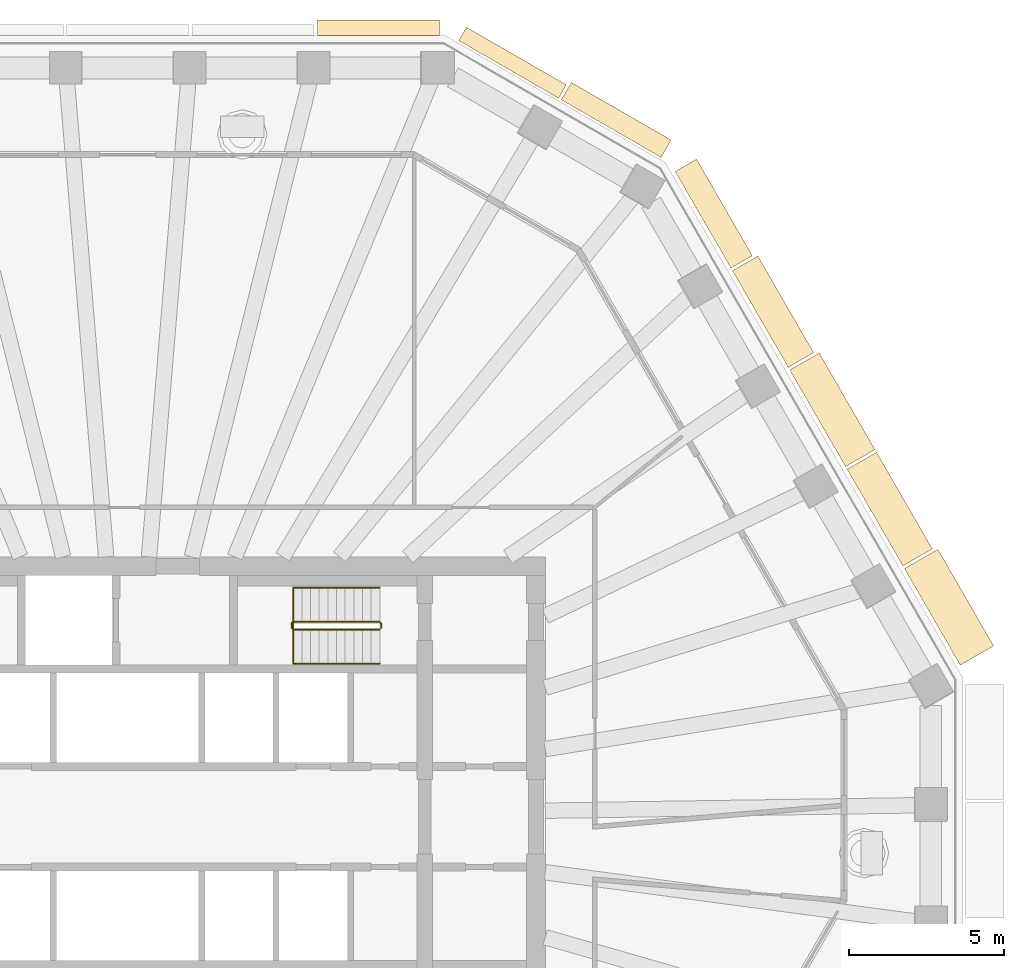
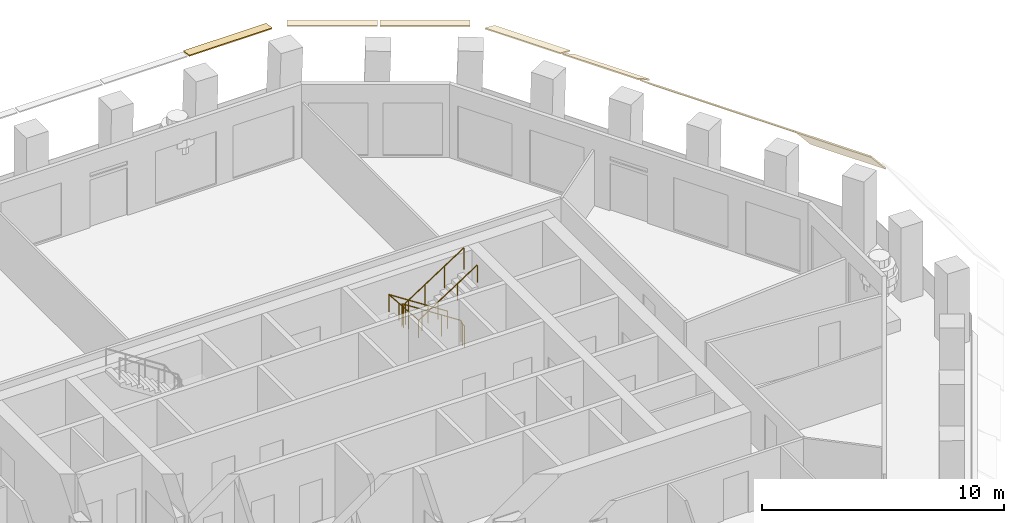
# One storey, part 10 of 12: 8 coverings, 2 railings.
"""IFC4 building model written with IfcOpenShell, lengths in metres."""

from ifc_helpers import new_model, si_unit, direction, frame, origin, origin_2d, place, context, subcontext, project, spatial, polyline, circle, outline, extrude, material, layer, layer_set, type_object, element, save


model = new_model("IFC4")

# Units and contexts
model_context = context("Model", 3, precision=1e-05, world=origin(), true_north=direction((0.0, 1.0)))
body_context = subcontext(model_context, "Body", "Model", "MODEL_VIEW")
ifc_project = project(units=[si_unit("LENGTHUNIT", "METRE"), si_unit("AREAUNIT", "SQUARE_METRE"), si_unit("VOLUMEUNIT", "CUBIC_METRE"), si_unit("PLANEANGLEUNIT", "RADIAN"), si_unit("MASSUNIT", "GRAM", prefix="KILO")], contexts=[model_context])

# Site, building, storey
site_placement = place(None, origin())
site = spatial("IfcSite", under=ifc_project, at=site_placement, CompositionType="ELEMENT")
building_placement = place(site_placement, origin())
building = spatial("IfcBuilding", under=site, at=building_placement, Name="Frailejon Research Tower", CompositionType="ELEMENT")
storey_placement = place(building_placement, frame((0.0, 0.0, 223.39990234375)))
storey = spatial("IfcBuildingStorey", under=building, at=storey_placement, Name="L48", CompositionType="ELEMENT", Elevation=223.39990234375)

# Coverings
ifc_material_1 = material(Name="Precast concrete C50/60", Category="concrete")
ifc_layer_1 = layer(ifc_material_1, 0.06005859375)
ifc_layer_set_1 = layer_set([ifc_layer_1], Name="Brim blade depth 1100")
covering_type_1 = type_object("IfcCoveringType", Name="Brim blade depth 1100", PredefinedType="CLADDING", material=ifc_layer_set_1)
covering_1_placement = place(storey_placement, frame((23.25390625, 11.228759765625, 3.85009765625), z_axis=(0.499991131855, -0.86603052375, 0.0), x_axis=(0.86603052375, 0.499991131855, 0.0)))
element("IfcCovering", 1, at=covering_1_placement, inside=storey, type_object=covering_type_1, Name="Brim blade L48", PredefinedType="CLADDING", context=body_context, shape_type="SweptSolid", body=[
    extrude(outline(polyline([(0.0, -0.078369140625), (1.10009765625, -1.001220703125), (1.10009765625, -0.923095703125), (0.0, 0.0), (0.0, -0.078369140625)])), origin(), (0.0, 0.0, 1.0), 3.60498046875),
])
covering_2_placement = place(storey_placement, frame((21.4013671875, 14.4375, 3.85009765625), z_axis=(0.499999687964, -0.866025583938, 0.0), x_axis=(0.866025583938, 0.499999687964, 0.0)))
element("IfcCovering", 2, at=covering_2_placement, inside=storey, type_object=covering_type_1, Name="Brim blade L48", PredefinedType="CLADDING", context=body_context, shape_type="SweptSolid", body=[
    extrude(outline(polyline([(0.0, -0.078369140625), (1.10009765625, -1.001220703125), (1.10009765625, -0.923095703125), (0.0, 0.0), (0.0, -0.078369140625)])), origin(), (0.0, 0.0, 1.0), 3.605224609375),
])
ifc_material_2 = material(Name="Precast concrete C50/60", Category="concrete")
ifc_layer_2 = layer(ifc_material_2, 0.06005859375)
ifc_layer_set_2 = layer_set([ifc_layer_2], Name="Brim blade depth 1250")
covering_type_2 = type_object("IfcCoveringType", Name="Brim blade depth 1250", PredefinedType="CLADDING", material=ifc_layer_set_2)
covering_3_placement = place(storey_placement, frame((25.1064453125, 8.02001953125, 3.85009765625), z_axis=(0.499999687964, -0.866025583938, 0.0), x_axis=(0.866025583938, 0.499999687964, 0.0)))
element("IfcCovering", 3, at=covering_3_placement, inside=storey, type_object=covering_type_2, Name="Brim blade L48", PredefinedType="CLADDING", context=body_context, shape_type="SweptSolid", body=[
    extrude(outline(polyline([(0.0, -0.0888671875), (1.25, -1.452880859375), (1.25, -1.364013671875), (0.0, 0.0), (0.0, -0.0888671875)])), origin(), (0.0, 0.0, 1.0), 3.605224609375),
])
ifc_material_3 = material(Name="Precast concrete C50/60", Category="concrete")
ifc_layer_3 = layer(ifc_material_3, 0.06005859375)
ifc_layer_set_3 = layer_set([ifc_layer_3], Name="Brim blade depth 500")
covering_type_3 = type_object("IfcCoveringType", Name="Brim blade depth 500", PredefinedType="CLADDING", material=ifc_layer_set_3)
covering_4_placement = place(storey_placement, frame((10.7021484375, 25.084228515625, 3.85009765625), z_axis=(0.866018477835, -0.500011995905, 0.0), x_axis=(0.500011995905, 0.866018477835, 0.0)))
element("IfcCovering", 4, at=covering_4_placement, inside=storey, type_object=covering_type_3, Name="Brim blade L48", PredefinedType="CLADDING", context=body_context, shape_type="SweptSolid", body=[
    extrude(outline(polyline([(0.0, -0.060546875), (0.5, -0.130859375), (0.5, -0.0703125), (0.0, 0.0), (0.0, -0.060546875)])), origin(), (0.0, 0.0, 1.0), 3.726806640625),
])
covering_5_placement = place(storey_placement, frame((6.13037109375, 25.25, 3.85009765625), z_axis=(1.0, 0.0, 0.0), x_axis=(0.0, 1.0, 0.0)))
element("IfcCovering", 5, at=covering_5_placement, inside=storey, type_object=covering_type_3, Name="Brim blade L48", PredefinedType="CLADDING", context=body_context, shape_type="SweptSolid", body=[
    extrude(outline(polyline([(0.0, -0.060546875), (0.5, -0.130859375), (0.5, -0.0703125), (0.0, 0.0), (0.0, -0.060546875)])), origin(), (0.0, 0.0, 1.0), 3.95361328125),
])
ifc_material_4 = material(Name="Precast concrete C50/60", Category="concrete")
ifc_layer_4 = layer(ifc_material_4, 0.06005859375)
ifc_layer_set_4 = layer_set([ifc_layer_4], Name="Brim blade depth 650")
covering_type_4 = type_object("IfcCoveringType", Name="Brim blade depth 650", PredefinedType="CLADDING", material=ifc_layer_set_4)
covering_6_placement = place(storey_placement, frame((14.01611328125, 23.1708984375, 3.85009765625), z_axis=(0.866029793251, -0.499992397145, 0.0), x_axis=(0.499992397145, 0.866029793251, 0.0)))
element("IfcCovering", 6, at=covering_6_placement, inside=storey, type_object=covering_type_4, Name="Brim blade L48", PredefinedType="CLADDING", context=body_context, shape_type="SweptSolid", body=[
    extrude(outline(polyline([(0.0, -0.0625), (0.64990234375, -0.248779296875), (0.64990234375, -0.186279296875), (0.0, 0.0), (0.0, -0.0625)])), origin(), (0.0, 0.0, 1.0), 3.726806640625),
])
ifc_material_5 = material(Name="Precast concrete C50/60", Category="concrete")
ifc_layer_5 = layer(ifc_material_5, 0.06005859375)
ifc_layer_set_5 = layer_set([ifc_layer_5], Name="Brim blade depth 800")
covering_type_5 = type_object("IfcCoveringType", Name="Brim blade depth 800", PredefinedType="CLADDING", material=ifc_layer_set_5)
covering_7_placement = place(storey_placement, frame((17.696044921875, 20.85498046875, 3.85009765625), z_axis=(0.499999687964, -0.866025583938, 0.0), x_axis=(0.866025583938, 0.499999687964, 0.0)))
element("IfcCovering", 7, at=covering_7_placement, inside=storey, type_object=covering_type_5, Name="Brim blade L48", PredefinedType="CLADDING", context=body_context, shape_type="SweptSolid", body=[
    extrude(outline(polyline([(0.0, -0.065673828125), (0.800048828125, -0.421875), (0.800048828125, -0.356201171875), (0.0, 0.0), (0.0, -0.065673828125)])), origin(), (0.0, 0.0, 1.0), 3.605224609375),
])
ifc_material_6 = material(Name="Precast concrete C50/60", Category="concrete")
ifc_layer_6 = layer(ifc_material_6, 0.06005859375)
ifc_layer_set_6 = layer_set([ifc_layer_6], Name="Brim blade depth 950")
covering_type_6 = type_object("IfcCoveringType", Name="Brim blade depth 950", PredefinedType="CLADDING", material=ifc_layer_set_6)
covering_8_placement = place(storey_placement, frame((19.548583984375, 17.646240234375, 3.85009765625), z_axis=(0.500011373958, -0.866018836927, 0.0), x_axis=(0.866018836927, 0.500011373958, 0.0)))
element("IfcCovering", 8, at=covering_8_placement, inside=storey, type_object=covering_type_6, Name="Brim blade L48", PredefinedType="CLADDING", context=body_context, shape_type="SweptSolid", body=[
    extrude(outline(polyline([(0.0, -0.07080078125), (0.949951171875, -0.664306640625), (0.949951171875, -0.593505859375), (0.0, 0.0), (0.0, -0.07080078125)])), origin(), (0.0, 0.0, 1.0), 3.60498046875),
])

# Railings
ifc_material_7 = material(Name="Stainless steel", Category="steel")
railing_type_1 = type_object("IfcRailingType", Name="Stair guard 1100", PredefinedType="GUARDRAIL", material=ifc_material_7)
railing_1_placement = place(storey_placement, frame((8.199951171875, 6.10009765625, 0.0)))
element("IfcRailing", 9, at=railing_1_placement, inside=storey, type_object=railing_type_1, Name="L48 ST3 stair guard 1", PredefinedType="GUARDRAIL", context=body_context, shape_type="SweptSolid", body=[
    extrude(circle(Radius=0.02392578125, at=origin_2d()), frame((0.0, 0.0, 1.076171875), z_axis=(0.0, 1.0, 0.0), x_axis=(-1.0, 0.0, 0.0)), (0.0, 0.0, 1.0), 0.14990234375),
    extrude(circle(Radius=0.02392578125, at=origin_2d()), frame((0.0, 0.14990234375, 1.076171875), z_axis=(-0.256435381639, 0.256435381639, 0.931923704005), x_axis=(-0.707106781187, -0.707106781187, 0.0)), (0.0, 0.0, 1.0), 0.195068359375),
    extrude(circle(Radius=0.02392578125, at=origin_2d()), frame((-0.050048828125, 0.199951171875, 1.2578125), z_axis=(-0.83868413941, 0.0, 0.544618136222), x_axis=(0.0, -1.0, 0.0)), (0.0, 0.0, 1.0), 3.33837890625),
    extrude(circle(Radius=0.02392578125, at=origin_2d()), frame((-2.849853515625, 0.199951171875, 3.076171875), z_axis=(-0.707106781187, -0.707106781187, 0.0), x_axis=(0.707106781187, -0.707106781187, 0.0)), (0.0, 0.0, 1.0), 0.07080078125),
    extrude(circle(Radius=0.02392578125, at=origin_2d()), frame((-2.89990234375, 0.14990234375, 3.076171875), z_axis=(0.0, -1.0, 0.0), x_axis=(1.0, 0.0, 0.0)), (0.0, 0.0, 1.0), 0.14990234375),
    extrude(circle(Radius=0.02392578125, at=origin_2d()), frame((-2.89990234375, 0.0, 3.076171875), z_axis=(0.256435381639, -0.256435381639, 0.931923704005), x_axis=(0.707106781187, 0.707106781187, 0.0)), (0.0, 0.0, 1.0), 0.195068359375),
    extrude(circle(Radius=0.02392578125, at=origin_2d()), frame((-2.849853515625, -0.050048828125, 3.2578125), z_axis=(0.83868413941, 0.0, 0.544618136222), x_axis=(0.0, 1.0, 0.0)), (0.0, 0.0, 1.0), 3.33837890625),
    extrude(circle(Radius=0.02099609375, at=origin_2d()), origin(), (0.0, 0.0, 1.0), 1.052001953125),
    extrude(circle(Radius=0.02099609375, at=origin_2d()), frame((0.0, 0.14990234375, 0.0)), (0.0, 0.0, 1.0), 1.052001953125),
    extrude(circle(Radius=0.02099609375, at=origin_2d()), frame((-0.050048828125, 0.199951171875, 0.181884765625)), (0.0, 0.0, 1.0), 1.052001953125),
    extrude(circle(Radius=0.02099609375, at=origin_2d()), frame((-0.9833984375, 0.199951171875, 0.787841796875)), (0.0, 0.0, 1.0), 1.052001953125),
    extrude(circle(Radius=0.02099609375, at=origin_2d()), frame((-1.91650390625, 0.199951171875, 1.39404296875)), (0.0, 0.0, 1.0), 1.052001953125),
    extrude(circle(Radius=0.02099609375, at=origin_2d()), frame((-2.849853515625, 0.199951171875, 2.0)), (0.0, 0.0, 1.0), 1.052001953125),
    extrude(circle(Radius=0.02099609375, at=origin_2d()), frame((-2.89990234375, 0.14990234375, 2.0)), (0.0, 0.0, 1.0), 1.052001953125),
    extrude(circle(Radius=0.02099609375, at=origin_2d()), frame((-2.89990234375, 0.0, 2.0)), (0.0, 0.0, 1.0), 1.052001953125),
    extrude(circle(Radius=0.02099609375, at=origin_2d()), frame((-2.849853515625, -0.050048828125, 2.181884765625)), (0.0, 0.0, 1.0), 1.052001953125),
    extrude(circle(Radius=0.02099609375, at=origin_2d()), frame((-1.91650390625, -0.050048828125, 2.787841796875)), (0.0, 0.0, 1.0), 1.052001953125),
    extrude(circle(Radius=0.02099609375, at=origin_2d()), frame((-0.9833984375, -0.050048828125, 3.39404296875)), (0.0, 0.0, 1.0), 1.052001953125),
    extrude(circle(Radius=0.02099609375, at=origin_2d()), frame((-0.050048828125, -0.050048828125, 4.0)), (0.0, 0.0, 1.0), 1.052001953125),
])
ifc_material_8 = material(Name="Stainless steel", Category="steel")
railing_type_2 = type_object("IfcRailingType", Name="Stair handrail 900", PredefinedType="HANDRAIL", material=ifc_material_8)
railing_2_placement = place(storey_placement, frame((8.14990234375, 7.39990234375, 0.181884765625)))
element("IfcRailing", 10, at=railing_2_placement, inside=storey, type_object=railing_type_2, Name="L48 ST3 stair handrail 1", PredefinedType="HANDRAIL", context=body_context, shape_type="SweptSolid", body=[
    extrude(circle(Radius=0.02392578125, at=origin_2d()), frame((0.0, 0.0, 0.8759765625), z_axis=(-0.83868413941, 0.0, 0.544618136222), x_axis=(0.0, -1.0, 0.0)), (0.0, 0.0, 1.0), 3.33837890625),
    extrude(circle(Radius=0.02392578125, at=origin_2d()), frame((-2.7998046875, 0.0, 2.69384765625), z_axis=(0.0, -0.997255538948, 0.074036410216), x_axis=(1.0, 0.0, 0.0)), (0.0, 0.0, 1.0), 2.456787109375),
    extrude(circle(Radius=0.02392578125, at=origin_2d()), frame((-2.7998046875, -2.449951171875, 2.8759765625), z_axis=(0.83868413941, 0.0, 0.544618136222), x_axis=(0.0, 1.0, 0.0)), (0.0, 0.0, 1.0), 3.33837890625),
    extrude(circle(Radius=0.02099609375, at=origin_2d()), origin(), (0.0, 0.0, 1.0), 0.851806640625),
    extrude(circle(Radius=0.02099609375, at=origin_2d()), frame((-0.933349609375, 0.0, 0.60595703125)), (0.0, 0.0, 1.0), 0.851806640625),
    extrude(circle(Radius=0.02099609375, at=origin_2d()), frame((-1.866455078125, 0.0, 1.212158203125)), (0.0, 0.0, 1.0), 0.851806640625),
    extrude(circle(Radius=0.02099609375, at=origin_2d()), frame((-2.7998046875, 0.0, 1.818115234375)), (0.0, 0.0, 1.0), 0.851806640625),
    extrude(circle(Radius=0.02099609375, at=origin_2d()), frame((-2.7998046875, -0.816650390625, 1.878662109375)), (0.0, 0.0, 1.0), 0.851806640625),
    extrude(circle(Radius=0.02099609375, at=origin_2d()), frame((-2.7998046875, -1.63330078125, 1.939453125)), (0.0, 0.0, 1.0), 0.851806640625),
    extrude(circle(Radius=0.02099609375, at=origin_2d()), frame((-2.7998046875, -2.449951171875, 2.0)), (0.0, 0.0, 1.0), 0.851806640625),
    extrude(circle(Radius=0.02099609375, at=origin_2d()), frame((-1.866455078125, -2.449951171875, 2.60595703125)), (0.0, 0.0, 1.0), 0.851806640625),
    extrude(circle(Radius=0.02099609375, at=origin_2d()), frame((-0.933349609375, -2.449951171875, 3.212158203125)), (0.0, 0.0, 1.0), 0.851806640625),
    extrude(circle(Radius=0.02099609375, at=origin_2d()), frame((0.0, -2.449951171875, 3.818115234375)), (0.0, 0.0, 1.0), 0.851806640625),
])

save(model, "model.ifc")
